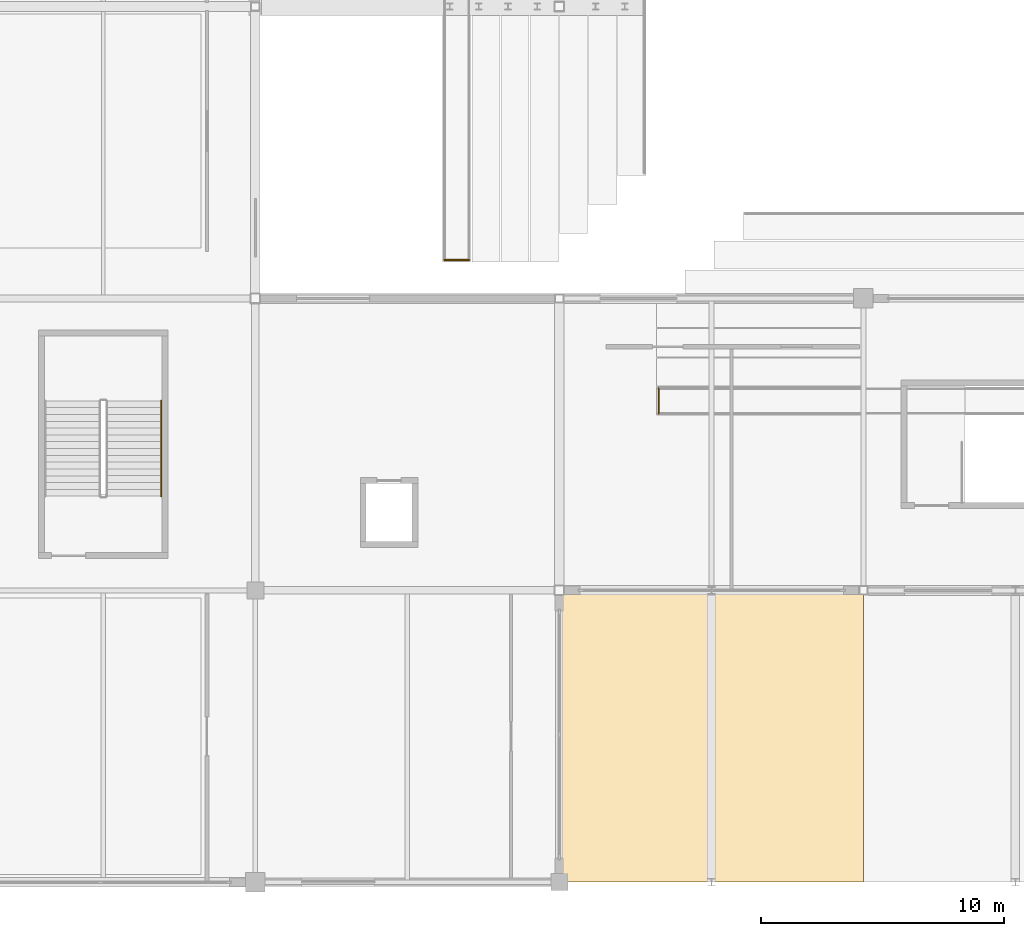
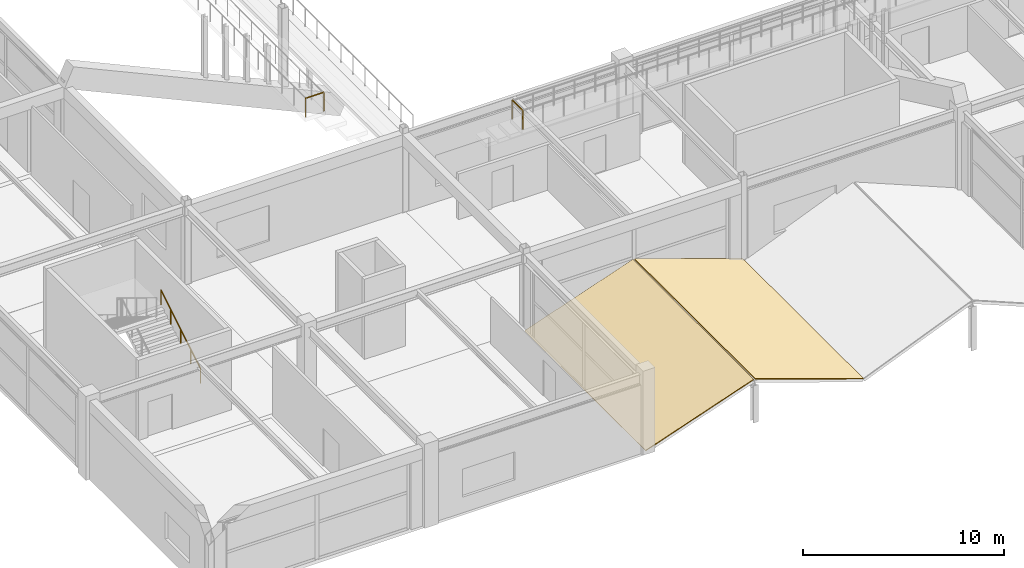
# One storey, part 105 of 128: 3 railings, 2 coverings.
"""IFC4 building model written with IfcOpenShell, lengths in metres."""

from ifc_helpers import new_model, si_unit, direction, frame, origin, origin_2d, place, context, subcontext, project, spatial, polyline, circle, outline, extrude, material, layer, layer_set, type_object, element, save


model = new_model("IFC4")

# Units and contexts
model_context = context("Model", 3, precision=1e-05, world=origin(), true_north=direction((0.0, 1.0)))
body_context = subcontext(model_context, "Body", "Model", "MODEL_VIEW")
ifc_project = project(units=[si_unit("LENGTHUNIT", "METRE"), si_unit("AREAUNIT", "SQUARE_METRE"), si_unit("VOLUMEUNIT", "CUBIC_METRE"), si_unit("PLANEANGLEUNIT", "RADIAN"), si_unit("MASSUNIT", "GRAM", prefix="KILO")], contexts=[model_context])

# Site, building, storey
site_placement = place(None, origin())
site = spatial("IfcSite", under=ifc_project, at=site_placement, CompositionType="ELEMENT")
building_placement = place(site_placement, origin())
building = spatial("IfcBuilding", under=site, at=building_placement, Name="Kazenohara Klinker Stadium", CompositionType="ELEMENT")
storey_placement = place(building_placement, frame((0.0, 0.0, 15.300048828125)))
storey = spatial("IfcBuildingStorey", under=building, at=storey_placement, Name="L03", CompositionType="ELEMENT", Elevation=15.300048828125)

# Coverings
ifc_material_1 = material(Name="Insulated standing-seam copper roofing", Category="metal")
ifc_layer_1 = layer(ifc_material_1, 0.050048828125)
ifc_layer_set_1 = layer_set([ifc_layer_1], Name="Insulated standing-seam copper roofing")
covering_type = type_object("IfcCoveringType", Name="COV-ROOF-01", PredefinedType="ROOFING", material=ifc_layer_set_1)
for number, where, z_axis, x_axis, name in (
    (1, (49.0, 12.0, -0.030029296875), (-0.327622925614, 0.0, 0.944808561886), (0.944808561886, 0.0, 0.327622925614), "Standing-seam copper stepped wing roofing L03-A 5/B"),
    (2, (55.300048828125, 12.0, 2.119873046875), (0.327622925614, 0.0, 0.944808561886), (0.944808561886, 0.0, -0.327622925614), "Standing-seam copper stepped wing roofing L03-B 5/B"),
):
    element("IfcCovering", number, at=place(storey_placement, frame(where, z_axis=z_axis, x_axis=x_axis)), inside=storey, type_object=covering_type, Name=name, PredefinedType="ROOFING", context=body_context, shape_type="SweptSolid", body=[
        extrude(outline(polyline([(0.0, 0.0), (6.5621242461032345, 0.0), (6.5621242461032345, 12.0), (0.0, 12.0), (0.0, 0.0)])), origin(), (0.0, 0.0, -1.0), 0.050048828125),
    ])

# Railings
ifc_material_2 = material(Name="Galvanised powder-coated steel guardrail", Category="steel")
ifc_layer_2 = layer(ifc_material_2, 0.070068359375)
ifc_layer_set_2 = layer_set([ifc_layer_2], Name="Galvanised powder-coated steel guardrail")
railing_type_1 = type_object("IfcRailingType", Name="RL-GRD-1150", PredefinedType="GUARDRAIL", material=ifc_layer_set_2)
railing_1_placement = place(storey_placement, frame((44.260009765625, 37.580078125, 6.349853515625)))
element("IfcRailing", 3, at=railing_1_placement, inside=storey, type_object=railing_type_1, Name="Spectator stand sightline guardrail TIER-UPPER-W-01-S", PredefinedType="GUARDRAIL", context=body_context, shape_type="SweptSolid", body=[
    extrude(circle(Radius=0.02392578125, at=origin_2d()), frame((0.0, 0.0, 1.1259765625), z_axis=(1.0, 0.0, 0.0), x_axis=(0.0, 1.0, 0.0)), (0.0, 0.0, 1.0), 1.0400390625),
    extrude(circle(Radius=0.02099609375, at=origin_2d()), origin(), (0.0, 0.0, 1.0), 1.101806640625),
    extrude(circle(Radius=0.02099609375, at=origin_2d()), frame((1.0400390625, 0.0, 0.0)), (0.0, 0.0, 1.0), 1.101806640625),
])
railing_2_placement = place(storey_placement, frame((53.080078125, 31.260009765625, 6.349853515625)))
element("IfcRailing", 4, at=railing_2_placement, inside=storey, type_object=railing_type_1, Name="Spectator stand sightline guardrail TIER-UPPER-S-01-W", PredefinedType="GUARDRAIL", context=body_context, shape_type="SweptSolid", body=[
    extrude(circle(Radius=0.02392578125, at=origin_2d()), frame((0.0, 0.0, 1.1259765625), z_axis=(0.0, 1.0, 0.0), x_axis=(-1.0, 0.0, 0.0)), (0.0, 0.0, 1.0), 1.0400390625),
    extrude(circle(Radius=0.02099609375, at=origin_2d()), origin(), (0.0, 0.0, 1.0), 1.101806640625),
    extrude(circle(Radius=0.02099609375, at=origin_2d()), frame((0.0, 1.0400390625, 0.0)), (0.0, 0.0, 1.0), 1.101806640625),
])
ifc_material_3 = material(Name="Brushed stainless steel 304 handrail", Category="steel")
ifc_layer_3 = layer(ifc_material_3, 0.050048828125)
ifc_layer_set_3 = layer_set([ifc_layer_3], Name="Brushed stainless steel 304 handrail")
railing_type_2 = type_object("IfcRailingType", Name="RL-HND-900", PredefinedType="HANDRAIL", material=ifc_layer_set_3)
railing_3_placement = place(storey_placement, frame((32.6298828125, 27.8701171875, 0.169921875)))
element("IfcRailing", 5, at=railing_3_placement, inside=storey, type_object=railing_type_2, Name="L03 ST07 stair handrail 1", PredefinedType="HANDRAIL", context=body_context, shape_type="SweptSolid", body=[
    extrude(circle(Radius=0.02392578125, at=origin_2d()), frame((0.0, 0.0, 0.8759765625), z_axis=(0.0, 0.854770645689, 0.519005918337), x_axis=(-1.0, 0.0, 0.0)), (0.0, 0.0, 1.0), 4.5859375),
    extrude(circle(Radius=0.02099609375, at=origin_2d()), origin(), (0.0, 0.0, 1.0), 0.851806640625),
    extrude(circle(Radius=0.02099609375, at=origin_2d()), frame((0.0, 0.97998046875, 0.594970703125)), (0.0, 0.0, 1.0), 0.851806640625),
    extrude(circle(Radius=0.02099609375, at=origin_2d()), frame((0.0, 1.9599609375, 1.18994140625)), (0.0, 0.0, 1.0), 0.851806640625),
    extrude(circle(Radius=0.02099609375, at=origin_2d()), frame((0.0, 2.93994140625, 1.78515625)), (0.0, 0.0, 1.0), 0.851806640625),
    extrude(circle(Radius=0.02099609375, at=origin_2d()), frame((0.0, 3.919921875, 2.380126953125)), (0.0, 0.0, 1.0), 0.851806640625),
])

save(model, "model.ifc")
